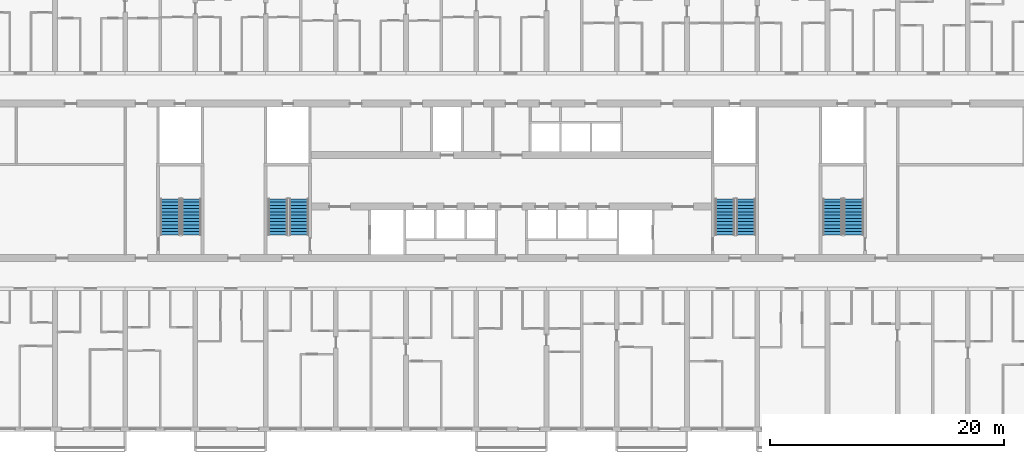
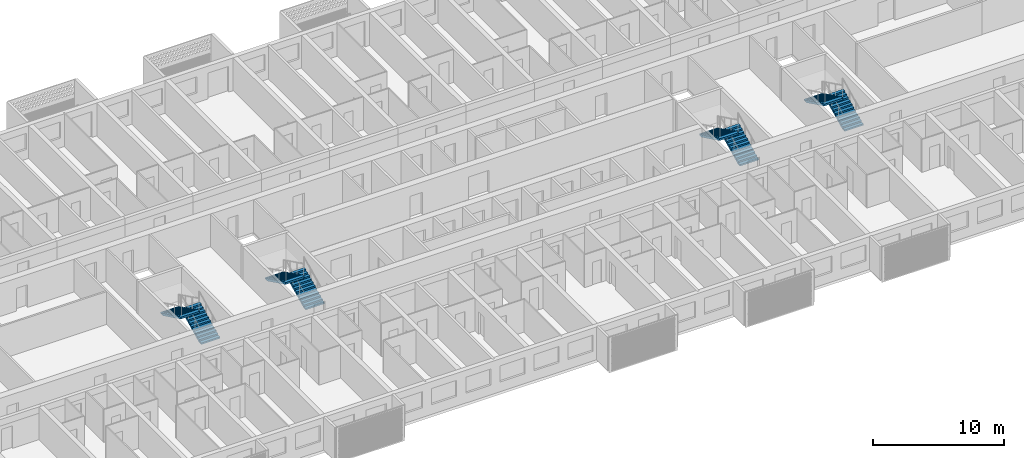
# One storey, part 18 of 40: 8 stair flights, 4 elements without a shape of their own.
"""IFC4 building model written with IfcOpenShell, lengths in metres."""

from ifc_helpers import new_model, si_unit, direction, frame, origin, place, context, subcontext, project, spatial, polyline, outline, extrude, material, layer, layer_set, type_object, element, aggregate, save


model = new_model("IFC4")

# Units and contexts
model_context = context("Model", 3, precision=1e-05, world=origin(), true_north=direction((0.0, 1.0)))
body_context = subcontext(model_context, "Body", "Model", "MODEL_VIEW")
ifc_project = project(units=[si_unit("LENGTHUNIT", "METRE"), si_unit("AREAUNIT", "SQUARE_METRE"), si_unit("VOLUMEUNIT", "CUBIC_METRE"), si_unit("PLANEANGLEUNIT", "RADIAN"), si_unit("MASSUNIT", "GRAM", prefix="KILO")], contexts=[model_context])

# Site, building, storey
site_placement = place(None, origin())
site = spatial("IfcSite", under=ifc_project, at=site_placement, CompositionType="ELEMENT")
building_placement = place(site_placement, origin())
building = spatial("IfcBuilding", under=site, at=building_placement, Name="Poui Terraces", CompositionType="ELEMENT")
storey_placement = place(building_placement, frame((0.0, 0.0, 33.300048828125)))
storey = spatial("IfcBuildingStorey", under=building, at=storey_placement, Name="L08", CompositionType="ELEMENT", Elevation=33.300048828125)

# Stair, stair flights
ifc_material = material(Name="Concrete 80 MPa", Category="concrete")
stair_type = type_object("IfcStairType", Name="EXIT STAIR 1650 80 MPA", PredefinedType="HALF_TURN_STAIR", material=ifc_material)
stair_1_placement = place(storey_placement, origin())
stair_1 = element("IfcStair", 1, at=stair_1_placement, inside=storey, type_object=stair_type, Name="L08 CORE STAIR EAST", PredefinedType="HALF_TURN_STAIR")
ifc_layer = layer(ifc_material, 0.14990234375)
ifc_layer_set = layer_set([ifc_layer], Name="Concrete 80 MPa")
stair_flight_type = type_object("IfcStairFlightType", Name="STAIR FLIGHT 12 RISERS 138 RISE 80 MPA", PredefinedType="STRAIGHT", material=ifc_layer_set)
stair_flight_1_placement = place(storey_placement, frame((71.050048828125, 16.60009765625, 0.0), z_axis=(0.0, 0.0, 1.0), x_axis=(0.0, 1.0, 0.0)))
stair_flight_1 = element("IfcStairFlight", 2, at=stair_flight_1_placement, type_object=stair_flight_type, Name="ST-CE flight 1", NumberOfRisers=12, NumberOfTreads=11, PredefinedType="STRAIGHT", RiserHeight=0.1375, TreadLength=0.28, context=body_context, shape_type="SweptSolid", body=[
    extrude(outline(polyline([(0.0, 0.0), (0.0, 0.137451171875), (0.280029296875, 0.137451171875), (0.280029296875, 0.27490234375), (0.56005859375, 0.27490234375), (0.56005859375, 0.41259765625), (0.840087890625, 0.41259765625), (0.840087890625, 0.550048828125), (1.1201171875, 0.550048828125), (1.1201171875, 0.6875), (1.39990234375, 0.6875), (1.39990234375, 0.824951171875), (1.679931640625, 0.824951171875), (1.679931640625, 0.96240234375), (1.9599609375, 0.96240234375), (1.9599609375, 1.10009765625), (2.239990234375, 1.10009765625), (2.239990234375, 1.237548828125), (2.52001953125, 1.237548828125), (2.52001953125, 1.375), (2.800048828125, 1.375), (2.800048828125, 1.512451171875), (3.080078125, 1.512451171875), (3.080078125, 1.64990234375), (3.080078125, 1.345458984375), (0.340087890625, 0.0), (0.0, 0.0)])), frame((0.0, 0.824951171875, 0.0), z_axis=(0.0, -1.0, 0.0), x_axis=(1.0, 0.0, 0.0)), (0.0, 0.0, 1.0), 1.64990234375),
])
stair_flight_2_placement = place(storey_placement, frame((69.25, 19.679931640625, 1.64990234375), z_axis=(0.0, 0.0, 1.0), x_axis=(0.0, -1.0, 0.0)))
stair_flight_2 = element("IfcStairFlight", 3, at=stair_flight_2_placement, type_object=stair_flight_type, Name="ST-CE flight 2", NumberOfRisers=12, NumberOfTreads=11, PredefinedType="STRAIGHT", RiserHeight=0.1375, TreadLength=0.28, context=body_context, shape_type="SweptSolid", body=[
    extrude(outline(polyline([(0.0, 0.0), (0.0, 0.137451171875), (0.280029296875, 0.137451171875), (0.280029296875, 0.27490234375), (0.56005859375, 0.27490234375), (0.56005859375, 0.41259765625), (0.840087890625, 0.41259765625), (0.840087890625, 0.550048828125), (1.1201171875, 0.550048828125), (1.1201171875, 0.6875), (1.39990234375, 0.6875), (1.39990234375, 0.824951171875), (1.679931640625, 0.824951171875), (1.679931640625, 0.96240234375), (1.9599609375, 0.96240234375), (1.9599609375, 1.10009765625), (2.239990234375, 1.10009765625), (2.239990234375, 1.237548828125), (2.52001953125, 1.237548828125), (2.52001953125, 1.375), (2.800048828125, 1.375), (2.800048828125, 1.512451171875), (3.080078125, 1.512451171875), (3.080078125, 1.64990234375), (3.080078125, 1.345458984375), (0.340087890625, 0.0), (0.0, 0.0)])), frame((0.0, 0.824951171875, 0.0), z_axis=(0.0, -1.0, 0.0), x_axis=(1.0, 0.0, 0.0)), (0.0, 0.0, 1.0), 1.64990234375),
])
aggregate(stair_1, [stair_flight_1, stair_flight_2])

stair_2_placement = place(storey_placement, origin())
stair_2 = element("IfcStair", 4, at=stair_2_placement, inside=storey, type_object=stair_type, Name="L08 CORE STAIR WEST", PredefinedType="HALF_TURN_STAIR")
stair_flight_3_placement = place(storey_placement, frame((32.85009765625, 16.60009765625, 0.0), z_axis=(0.0, 0.0, 1.0), x_axis=(0.0, 1.0, 0.0)))
stair_flight_3 = element("IfcStairFlight", 5, at=stair_flight_3_placement, type_object=stair_flight_type, Name="ST-CW flight 1", NumberOfRisers=12, NumberOfTreads=11, PredefinedType="STRAIGHT", RiserHeight=0.1375, TreadLength=0.28, context=body_context, shape_type="SweptSolid", body=[
    extrude(outline(polyline([(0.0, 0.0), (0.0, 0.137451171875), (0.280029296875, 0.137451171875), (0.280029296875, 0.27490234375), (0.56005859375, 0.27490234375), (0.56005859375, 0.41259765625), (0.840087890625, 0.41259765625), (0.840087890625, 0.550048828125), (1.1201171875, 0.550048828125), (1.1201171875, 0.6875), (1.39990234375, 0.6875), (1.39990234375, 0.824951171875), (1.679931640625, 0.824951171875), (1.679931640625, 0.96240234375), (1.9599609375, 0.96240234375), (1.9599609375, 1.10009765625), (2.239990234375, 1.10009765625), (2.239990234375, 1.237548828125), (2.52001953125, 1.237548828125), (2.52001953125, 1.375), (2.800048828125, 1.375), (2.800048828125, 1.512451171875), (3.080078125, 1.512451171875), (3.080078125, 1.64990234375), (3.080078125, 1.345458984375), (0.340087890625, 0.0), (0.0, 0.0)])), frame((0.0, 0.824951171875, 0.0), z_axis=(0.0, -1.0, 0.0), x_axis=(1.0, 0.0, 0.0)), (0.0, 0.0, 1.0), 1.64990234375),
])
stair_flight_4_placement = place(storey_placement, frame((31.050048828125, 19.679931640625, 1.64990234375), z_axis=(0.0, 0.0, 1.0), x_axis=(0.0, -1.0, 0.0)))
stair_flight_4 = element("IfcStairFlight", 6, at=stair_flight_4_placement, type_object=stair_flight_type, Name="ST-CW flight 2", NumberOfRisers=12, NumberOfTreads=11, PredefinedType="STRAIGHT", RiserHeight=0.1375, TreadLength=0.28, context=body_context, shape_type="SweptSolid", body=[
    extrude(outline(polyline([(0.0, 0.0), (0.0, 0.137451171875), (0.280029296875, 0.137451171875), (0.280029296875, 0.27490234375), (0.56005859375, 0.27490234375), (0.56005859375, 0.41259765625), (0.840087890625, 0.41259765625), (0.840087890625, 0.550048828125), (1.1201171875, 0.550048828125), (1.1201171875, 0.6875), (1.39990234375, 0.6875), (1.39990234375, 0.824951171875), (1.679931640625, 0.824951171875), (1.679931640625, 0.96240234375), (1.9599609375, 0.96240234375), (1.9599609375, 1.10009765625), (2.239990234375, 1.10009765625), (2.239990234375, 1.237548828125), (2.52001953125, 1.237548828125), (2.52001953125, 1.375), (2.800048828125, 1.375), (2.800048828125, 1.512451171875), (3.080078125, 1.512451171875), (3.080078125, 1.64990234375), (3.080078125, 1.345458984375), (0.340087890625, 0.0), (0.0, 0.0)])), frame((0.0, 0.824951171875, 0.0), z_axis=(0.0, -1.0, 0.0), x_axis=(1.0, 0.0, 0.0)), (0.0, 0.0, 1.0), 1.64990234375),
])
aggregate(stair_2, [stair_flight_3, stair_flight_4])

stair_3_placement = place(storey_placement, origin())
stair_3 = element("IfcStair", 7, at=stair_3_placement, inside=storey, type_object=stair_type, Name="L08 TIP STAIR EAST", PredefinedType="HALF_TURN_STAIR")
stair_flight_5_placement = place(storey_placement, frame((80.25, 16.60009765625, 0.0), z_axis=(0.0, 0.0, 1.0), x_axis=(0.0, 1.0, 0.0)))
stair_flight_5 = element("IfcStairFlight", 8, at=stair_flight_5_placement, type_object=stair_flight_type, Name="ST-E flight 1", NumberOfRisers=12, NumberOfTreads=11, PredefinedType="STRAIGHT", RiserHeight=0.1375, TreadLength=0.28, context=body_context, shape_type="SweptSolid", body=[
    extrude(outline(polyline([(0.0, 0.0), (0.0, 0.137451171875), (0.280029296875, 0.137451171875), (0.280029296875, 0.27490234375), (0.56005859375, 0.27490234375), (0.56005859375, 0.41259765625), (0.840087890625, 0.41259765625), (0.840087890625, 0.550048828125), (1.1201171875, 0.550048828125), (1.1201171875, 0.6875), (1.39990234375, 0.6875), (1.39990234375, 0.824951171875), (1.679931640625, 0.824951171875), (1.679931640625, 0.96240234375), (1.9599609375, 0.96240234375), (1.9599609375, 1.10009765625), (2.239990234375, 1.10009765625), (2.239990234375, 1.237548828125), (2.52001953125, 1.237548828125), (2.52001953125, 1.375), (2.800048828125, 1.375), (2.800048828125, 1.512451171875), (3.080078125, 1.512451171875), (3.080078125, 1.64990234375), (3.080078125, 1.345458984375), (0.340087890625, 0.0), (0.0, 0.0)])), frame((0.0, 0.824951171875, 0.0), z_axis=(0.0, -1.0, 0.0), x_axis=(1.0, 0.0, 0.0)), (0.0, 0.0, 1.0), 1.64990234375),
])
stair_flight_6_placement = place(storey_placement, frame((78.449951171875, 19.679931640625, 1.64990234375), z_axis=(0.0, 0.0, 1.0), x_axis=(0.0, -1.0, 0.0)))
stair_flight_6 = element("IfcStairFlight", 9, at=stair_flight_6_placement, type_object=stair_flight_type, Name="ST-E flight 2", NumberOfRisers=12, NumberOfTreads=11, PredefinedType="STRAIGHT", RiserHeight=0.1375, TreadLength=0.28, context=body_context, shape_type="SweptSolid", body=[
    extrude(outline(polyline([(0.0, 0.0), (0.0, 0.137451171875), (0.280029296875, 0.137451171875), (0.280029296875, 0.27490234375), (0.56005859375, 0.27490234375), (0.56005859375, 0.41259765625), (0.840087890625, 0.41259765625), (0.840087890625, 0.550048828125), (1.1201171875, 0.550048828125), (1.1201171875, 0.6875), (1.39990234375, 0.6875), (1.39990234375, 0.824951171875), (1.679931640625, 0.824951171875), (1.679931640625, 0.96240234375), (1.9599609375, 0.96240234375), (1.9599609375, 1.10009765625), (2.239990234375, 1.10009765625), (2.239990234375, 1.237548828125), (2.52001953125, 1.237548828125), (2.52001953125, 1.375), (2.800048828125, 1.375), (2.800048828125, 1.512451171875), (3.080078125, 1.512451171875), (3.080078125, 1.64990234375), (3.080078125, 1.345458984375), (0.340087890625, 0.0), (0.0, 0.0)])), frame((0.0, 0.824951171875, 0.0), z_axis=(0.0, -1.0, 0.0), x_axis=(1.0, 0.0, 0.0)), (0.0, 0.0, 1.0), 1.64990234375),
])
aggregate(stair_3, [stair_flight_5, stair_flight_6])

stair_4_placement = place(storey_placement, origin())
stair_4 = element("IfcStair", 10, at=stair_4_placement, inside=storey, type_object=stair_type, Name="L08 TIP STAIR WEST", PredefinedType="HALF_TURN_STAIR")
stair_flight_7_placement = place(storey_placement, frame((23.64990234375, 16.60009765625, 0.0), z_axis=(0.0, 0.0, 1.0), x_axis=(0.0, 1.0, 0.0)))
stair_flight_7 = element("IfcStairFlight", 11, at=stair_flight_7_placement, type_object=stair_flight_type, Name="ST-W flight 1", NumberOfRisers=12, NumberOfTreads=11, PredefinedType="STRAIGHT", RiserHeight=0.1375, TreadLength=0.28, context=body_context, shape_type="SweptSolid", body=[
    extrude(outline(polyline([(0.0, 0.0), (0.0, 0.137451171875), (0.280029296875, 0.137451171875), (0.280029296875, 0.27490234375), (0.56005859375, 0.27490234375), (0.56005859375, 0.41259765625), (0.840087890625, 0.41259765625), (0.840087890625, 0.550048828125), (1.1201171875, 0.550048828125), (1.1201171875, 0.6875), (1.39990234375, 0.6875), (1.39990234375, 0.824951171875), (1.679931640625, 0.824951171875), (1.679931640625, 0.96240234375), (1.9599609375, 0.96240234375), (1.9599609375, 1.10009765625), (2.239990234375, 1.10009765625), (2.239990234375, 1.237548828125), (2.52001953125, 1.237548828125), (2.52001953125, 1.375), (2.800048828125, 1.375), (2.800048828125, 1.512451171875), (3.080078125, 1.512451171875), (3.080078125, 1.64990234375), (3.080078125, 1.345458984375), (0.340087890625, 0.0), (0.0, 0.0)])), frame((0.0, 0.824951171875, 0.0), z_axis=(0.0, -1.0, 0.0), x_axis=(1.0, 0.0, 0.0)), (0.0, 0.0, 1.0), 1.64990234375),
])
stair_flight_8_placement = place(storey_placement, frame((21.85009765625, 19.679931640625, 1.64990234375), z_axis=(0.0, 0.0, 1.0), x_axis=(0.0, -1.0, 0.0)))
stair_flight_8 = element("IfcStairFlight", 12, at=stair_flight_8_placement, type_object=stair_flight_type, Name="ST-W flight 2", NumberOfRisers=12, NumberOfTreads=11, PredefinedType="STRAIGHT", RiserHeight=0.1375, TreadLength=0.28, context=body_context, shape_type="SweptSolid", body=[
    extrude(outline(polyline([(0.0, 0.0), (0.0, 0.137451171875), (0.280029296875, 0.137451171875), (0.280029296875, 0.27490234375), (0.56005859375, 0.27490234375), (0.56005859375, 0.41259765625), (0.840087890625, 0.41259765625), (0.840087890625, 0.550048828125), (1.1201171875, 0.550048828125), (1.1201171875, 0.6875), (1.39990234375, 0.6875), (1.39990234375, 0.824951171875), (1.679931640625, 0.824951171875), (1.679931640625, 0.96240234375), (1.9599609375, 0.96240234375), (1.9599609375, 1.10009765625), (2.239990234375, 1.10009765625), (2.239990234375, 1.237548828125), (2.52001953125, 1.237548828125), (2.52001953125, 1.375), (2.800048828125, 1.375), (2.800048828125, 1.512451171875), (3.080078125, 1.512451171875), (3.080078125, 1.64990234375), (3.080078125, 1.345458984375), (0.340087890625, 0.0), (0.0, 0.0)])), frame((0.0, 0.824951171875, 0.0), z_axis=(0.0, -1.0, 0.0), x_axis=(1.0, 0.0, 0.0)), (0.0, 0.0, 1.0), 1.64990234375),
])
aggregate(stair_4, [stair_flight_7, stair_flight_8])

save(model, "model.ifc")
